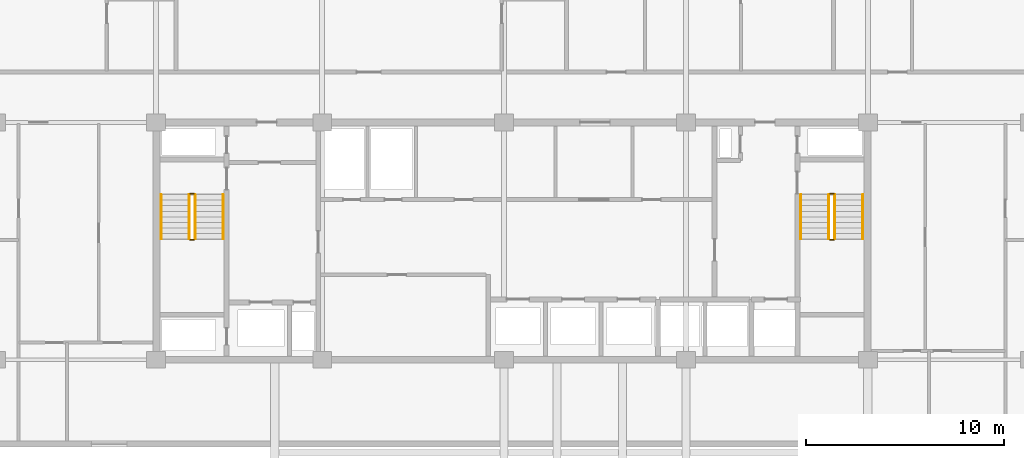
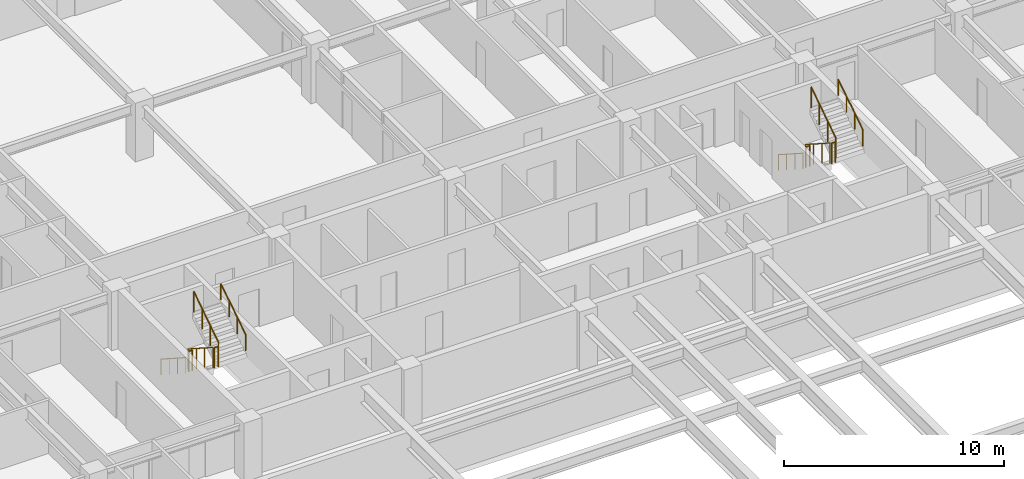
# One storey, part 20 of 21: 12 railings.
"""IFC4 building model written with IfcOpenShell, lengths in metres."""

from ifc_helpers import new_model, si_unit, direction, frame, origin, origin_2d, place, context, subcontext, project, spatial, circle, extrude, material, type_object, element, save


model = new_model("IFC4")

# Units and contexts
model_context = context("Model", 3, precision=1e-05, world=origin(), true_north=direction((0.0, 1.0)))
body_context = subcontext(model_context, "Body", "Model", "MODEL_VIEW")
ifc_project = project(units=[si_unit("LENGTHUNIT", "METRE"), si_unit("AREAUNIT", "SQUARE_METRE"), si_unit("VOLUMEUNIT", "CUBIC_METRE"), si_unit("PLANEANGLEUNIT", "RADIAN"), si_unit("MASSUNIT", "GRAM", prefix="KILO")], contexts=[model_context])

# Site, building, storey
site_placement = place(None, origin())
site = spatial("IfcSite", under=ifc_project, at=site_placement, CompositionType="ELEMENT")
building_placement = place(site_placement, origin())
building = spatial("IfcBuilding", under=site, at=building_placement, Name="Korimba Cascade Residences", CompositionType="ELEMENT")
storey_placement = place(building_placement, frame((0.0, 0.0, 136.050048828125)))
storey = spatial("IfcBuildingStorey", under=building, at=storey_placement, Name="L39", CompositionType="ELEMENT", Elevation=136.050048828125)

# Railings
ifc_material_1 = material(Name="Painted Steel Stairwell Guardrail", Category="steel")
railing_type_1 = type_object("IfcRailingType", Name="RLG-ST-GD1150", PredefinedType="GUARDRAIL", material=ifc_material_1)
railing_1_placement = place(storey_placement, frame((77.77001953125, 63.550048828125, 0.180419921875)))
element("IfcRailing", 1, at=railing_1_placement, inside=storey, type_object=railing_type_1, Name="L39 ST-W1 stair guard 1", PredefinedType="GUARDRAIL", context=body_context, shape_type="SweptSolid", body=[
    extrude(circle(Radius=0.02392578125, at=origin_2d()), frame((0.0, 0.0, 1.1259765625), z_axis=(0.0, -0.840394893359, 0.541974559565), x_axis=(1.0, 0.0, 0.0)), (0.0, 0.0, 1.0), 2.665283203125),
    extrude(circle(Radius=0.02099609375, at=origin_2d()), origin(), (0.0, 0.0, 1.0), 1.101806640625),
    extrude(circle(Radius=0.02099609375, at=origin_2d()), frame((0.0, -0.74658203125, 0.4814453125)), (0.0, 0.0, 1.0), 1.101806640625),
    extrude(circle(Radius=0.02099609375, at=origin_2d()), frame((0.0, -1.493408203125, 0.963134765625)), (0.0, 0.0, 1.0), 1.101806640625),
    extrude(circle(Radius=0.02099609375, at=origin_2d()), frame((0.0, -2.239990234375, 1.444580078125)), (0.0, 0.0, 1.0), 1.101806640625),
])
railing_2_placement = place(storey_placement, frame((77.820068359375, 61.260009765625, 1.625)))
element("IfcRailing", 2, at=railing_2_placement, inside=storey, type_object=railing_type_1, Name="L39 ST-W1 stair guard 2", PredefinedType="GUARDRAIL", context=body_context, shape_type="SweptSolid", body=[
    extrude(circle(Radius=0.02392578125, at=origin_2d()), frame((0.0, 0.0, 1.1259765625), z_axis=(1.0, 0.0, 0.0), x_axis=(0.0, 1.0, 0.0)), (0.0, 0.0, 1.0), 0.199951171875),
    extrude(circle(Radius=0.02099609375, at=origin_2d()), origin(), (0.0, 0.0, 1.0), 1.101806640625),
    extrude(circle(Radius=0.02099609375, at=origin_2d()), frame((0.199951171875, 0.0, 0.0)), (0.0, 0.0, 1.0), 1.101806640625),
])
railing_3_placement = place(storey_placement, frame((78.070068359375, 61.31005859375, 1.805419921875)))
element("IfcRailing", 3, at=railing_3_placement, inside=storey, type_object=railing_type_1, Name="L39 ST-W1 stair guard 3", PredefinedType="GUARDRAIL", context=body_context, shape_type="SweptSolid", body=[
    extrude(circle(Radius=0.02392578125, at=origin_2d()), frame((0.0, 0.0, 1.1259765625), z_axis=(0.0, 0.840394893359, 0.541974559565), x_axis=(-1.0, 0.0, 0.0)), (0.0, 0.0, 1.0), 2.665283203125),
    extrude(circle(Radius=0.02099609375, at=origin_2d()), origin(), (0.0, 0.0, 1.0), 1.101806640625),
    extrude(circle(Radius=0.02099609375, at=origin_2d()), frame((0.0, 0.74658203125, 0.4814453125)), (0.0, 0.0, 1.0), 1.101806640625),
    extrude(circle(Radius=0.02099609375, at=origin_2d()), frame((0.0, 1.493408203125, 0.963134765625)), (0.0, 0.0, 1.0), 1.101806640625),
    extrude(circle(Radius=0.02099609375, at=origin_2d()), frame((0.0, 2.239990234375, 1.444580078125)), (0.0, 0.0, 1.0), 1.101806640625),
])
railing_4_placement = place(storey_placement, frame((77.820068359375, 63.60009765625, 0.0)))
element("IfcRailing", 4, at=railing_4_placement, inside=storey, type_object=railing_type_1, Name="L39 ST-W1 stair guard 4", PredefinedType="GUARDRAIL", context=body_context, shape_type="SweptSolid", body=[
    extrude(circle(Radius=0.02392578125, at=origin_2d()), frame((0.0, 0.0, 1.1259765625), z_axis=(1.0, 0.0, 0.0), x_axis=(0.0, 1.0, 0.0)), (0.0, 0.0, 1.0), 0.199951171875),
    extrude(circle(Radius=0.02099609375, at=origin_2d()), origin(), (0.0, 0.0, 1.0), 1.101806640625),
    extrude(circle(Radius=0.02099609375, at=origin_2d()), frame((0.199951171875, 0.0, 0.0)), (0.0, 0.0, 1.0), 1.101806640625),
])
railing_5_placement = place(storey_placement, frame((110.1298828125, 63.550048828125, 0.180419921875)))
element("IfcRailing", 5, at=railing_5_placement, inside=storey, type_object=railing_type_1, Name="L39 ST-W2 stair guard 1", PredefinedType="GUARDRAIL", context=body_context, shape_type="SweptSolid", body=[
    extrude(circle(Radius=0.02392578125, at=origin_2d()), frame((0.0, 0.0, 1.1259765625), z_axis=(0.0, -0.840394893359, 0.541974559565), x_axis=(1.0, 0.0, 0.0)), (0.0, 0.0, 1.0), 2.665283203125),
    extrude(circle(Radius=0.02099609375, at=origin_2d()), origin(), (0.0, 0.0, 1.0), 1.101806640625),
    extrude(circle(Radius=0.02099609375, at=origin_2d()), frame((0.0, -0.74658203125, 0.4814453125)), (0.0, 0.0, 1.0), 1.101806640625),
    extrude(circle(Radius=0.02099609375, at=origin_2d()), frame((0.0, -1.493408203125, 0.963134765625)), (0.0, 0.0, 1.0), 1.101806640625),
    extrude(circle(Radius=0.02099609375, at=origin_2d()), frame((0.0, -2.239990234375, 1.444580078125)), (0.0, 0.0, 1.0), 1.101806640625),
])
railing_6_placement = place(storey_placement, frame((110.179931640625, 61.260009765625, 1.625)))
element("IfcRailing", 6, at=railing_6_placement, inside=storey, type_object=railing_type_1, Name="L39 ST-W2 stair guard 2", PredefinedType="GUARDRAIL", context=body_context, shape_type="SweptSolid", body=[
    extrude(circle(Radius=0.02392578125, at=origin_2d()), frame((0.0, 0.0, 1.1259765625), z_axis=(1.0, 0.0, 0.0), x_axis=(0.0, 1.0, 0.0)), (0.0, 0.0, 1.0), 0.199951171875),
    extrude(circle(Radius=0.02099609375, at=origin_2d()), origin(), (0.0, 0.0, 1.0), 1.101806640625),
    extrude(circle(Radius=0.02099609375, at=origin_2d()), frame((0.199951171875, 0.0, 0.0)), (0.0, 0.0, 1.0), 1.101806640625),
])
railing_7_placement = place(storey_placement, frame((110.429931640625, 61.31005859375, 1.805419921875)))
element("IfcRailing", 7, at=railing_7_placement, inside=storey, type_object=railing_type_1, Name="L39 ST-W2 stair guard 3", PredefinedType="GUARDRAIL", context=body_context, shape_type="SweptSolid", body=[
    extrude(circle(Radius=0.02392578125, at=origin_2d()), frame((0.0, 0.0, 1.1259765625), z_axis=(0.0, 0.840394893359, 0.541974559565), x_axis=(-1.0, 0.0, 0.0)), (0.0, 0.0, 1.0), 2.665283203125),
    extrude(circle(Radius=0.02099609375, at=origin_2d()), origin(), (0.0, 0.0, 1.0), 1.101806640625),
    extrude(circle(Radius=0.02099609375, at=origin_2d()), frame((0.0, 0.74658203125, 0.4814453125)), (0.0, 0.0, 1.0), 1.101806640625),
    extrude(circle(Radius=0.02099609375, at=origin_2d()), frame((0.0, 1.493408203125, 0.963134765625)), (0.0, 0.0, 1.0), 1.101806640625),
    extrude(circle(Radius=0.02099609375, at=origin_2d()), frame((0.0, 2.239990234375, 1.444580078125)), (0.0, 0.0, 1.0), 1.101806640625),
])
railing_8_placement = place(storey_placement, frame((110.179931640625, 63.60009765625, 0.0)))
element("IfcRailing", 8, at=railing_8_placement, inside=storey, type_object=railing_type_1, Name="L39 ST-W2 stair guard 4", PredefinedType="GUARDRAIL", context=body_context, shape_type="SweptSolid", body=[
    extrude(circle(Radius=0.02392578125, at=origin_2d()), frame((0.0, 0.0, 1.1259765625), z_axis=(1.0, 0.0, 0.0), x_axis=(0.0, 1.0, 0.0)), (0.0, 0.0, 1.0), 0.199951171875),
    extrude(circle(Radius=0.02099609375, at=origin_2d()), origin(), (0.0, 0.0, 1.0), 1.101806640625),
    extrude(circle(Radius=0.02099609375, at=origin_2d()), frame((0.199951171875, 0.0, 0.0)), (0.0, 0.0, 1.0), 1.101806640625),
])
ifc_material_2 = material(Name="Brushed Stainless Steel Handrail", Category="steel")
railing_type_2 = type_object("IfcRailingType", Name="RLG-ST-HR900", PredefinedType="HANDRAIL", material=ifc_material_2)
railing_9_placement = place(storey_placement, frame((76.35009765625, 63.550048828125, 0.364990234375)))
element("IfcRailing", 9, at=railing_9_placement, inside=storey, type_object=railing_type_2, Name="L39 ST-W1 stair handrail 1", PredefinedType="HANDRAIL", context=body_context, shape_type="SweptSolid", body=[
    extrude(circle(Radius=0.02392578125, at=origin_2d()), frame((0.0, 0.0, 0.8759765625), z_axis=(0.0, -0.840436612492, 0.541909863706), x_axis=(1.0, 0.0, 0.0)), (0.0, 0.0, 1.0), 2.665283203125),
    extrude(circle(Radius=0.02099609375, at=origin_2d()), origin(), (0.0, 0.0, 1.0), 0.851806640625),
    extrude(circle(Radius=0.02099609375, at=origin_2d()), frame((0.0, -0.74658203125, 0.4814453125)), (0.0, 0.0, 1.0), 0.851806640625),
    extrude(circle(Radius=0.02099609375, at=origin_2d()), frame((0.0, -1.493408203125, 0.962890625)), (0.0, 0.0, 1.0), 0.851806640625),
    extrude(circle(Radius=0.02099609375, at=origin_2d()), frame((0.0, -2.239990234375, 1.4443359375)), (0.0, 0.0, 1.0), 0.851806640625),
])
railing_10_placement = place(storey_placement, frame((79.489990234375, 61.31005859375, 1.989990234375)))
element("IfcRailing", 10, at=railing_10_placement, inside=storey, type_object=railing_type_2, Name="L39 ST-W1 stair handrail 2", PredefinedType="HANDRAIL", context=body_context, shape_type="SweptSolid", body=[
    extrude(circle(Radius=0.02392578125, at=origin_2d()), frame((0.0, 0.0, 0.8759765625), z_axis=(0.0, 0.840436612492, 0.541909863706), x_axis=(-1.0, 0.0, 0.0)), (0.0, 0.0, 1.0), 2.665283203125),
    extrude(circle(Radius=0.02099609375, at=origin_2d()), origin(), (0.0, 0.0, 1.0), 0.851806640625),
    extrude(circle(Radius=0.02099609375, at=origin_2d()), frame((0.0, 0.74658203125, 0.4814453125)), (0.0, 0.0, 1.0), 0.851806640625),
    extrude(circle(Radius=0.02099609375, at=origin_2d()), frame((0.0, 1.493408203125, 0.962890625)), (0.0, 0.0, 1.0), 0.851806640625),
    extrude(circle(Radius=0.02099609375, at=origin_2d()), frame((0.0, 2.239990234375, 1.4443359375)), (0.0, 0.0, 1.0), 0.851806640625),
])
railing_11_placement = place(storey_placement, frame((108.7099609375, 63.550048828125, 0.364990234375)))
element("IfcRailing", 11, at=railing_11_placement, inside=storey, type_object=railing_type_2, Name="L39 ST-W2 stair handrail 1", PredefinedType="HANDRAIL", context=body_context, shape_type="SweptSolid", body=[
    extrude(circle(Radius=0.02392578125, at=origin_2d()), frame((0.0, 0.0, 0.8759765625), z_axis=(0.0, -0.840436612492, 0.541909863706), x_axis=(1.0, 0.0, 0.0)), (0.0, 0.0, 1.0), 2.665283203125),
    extrude(circle(Radius=0.02099609375, at=origin_2d()), origin(), (0.0, 0.0, 1.0), 0.851806640625),
    extrude(circle(Radius=0.02099609375, at=origin_2d()), frame((0.0, -0.74658203125, 0.4814453125)), (0.0, 0.0, 1.0), 0.851806640625),
    extrude(circle(Radius=0.02099609375, at=origin_2d()), frame((0.0, -1.493408203125, 0.962890625)), (0.0, 0.0, 1.0), 0.851806640625),
    extrude(circle(Radius=0.02099609375, at=origin_2d()), frame((0.0, -2.239990234375, 1.4443359375)), (0.0, 0.0, 1.0), 0.851806640625),
])
railing_12_placement = place(storey_placement, frame((111.85009765625, 61.31005859375, 1.989990234375)))
element("IfcRailing", 12, at=railing_12_placement, inside=storey, type_object=railing_type_2, Name="L39 ST-W2 stair handrail 2", PredefinedType="HANDRAIL", context=body_context, shape_type="SweptSolid", body=[
    extrude(circle(Radius=0.02392578125, at=origin_2d()), frame((0.0, 0.0, 0.8759765625), z_axis=(0.0, 0.840436612492, 0.541909863706), x_axis=(-1.0, 0.0, 0.0)), (0.0, 0.0, 1.0), 2.665283203125),
    extrude(circle(Radius=0.02099609375, at=origin_2d()), origin(), (0.0, 0.0, 1.0), 0.851806640625),
    extrude(circle(Radius=0.02099609375, at=origin_2d()), frame((0.0, 0.74658203125, 0.4814453125)), (0.0, 0.0, 1.0), 0.851806640625),
    extrude(circle(Radius=0.02099609375, at=origin_2d()), frame((0.0, 1.493408203125, 0.962890625)), (0.0, 0.0, 1.0), 0.851806640625),
    extrude(circle(Radius=0.02099609375, at=origin_2d()), frame((0.0, 2.239990234375, 1.4443359375)), (0.0, 0.0, 1.0), 0.851806640625),
])

save(model, "model.ifc")
